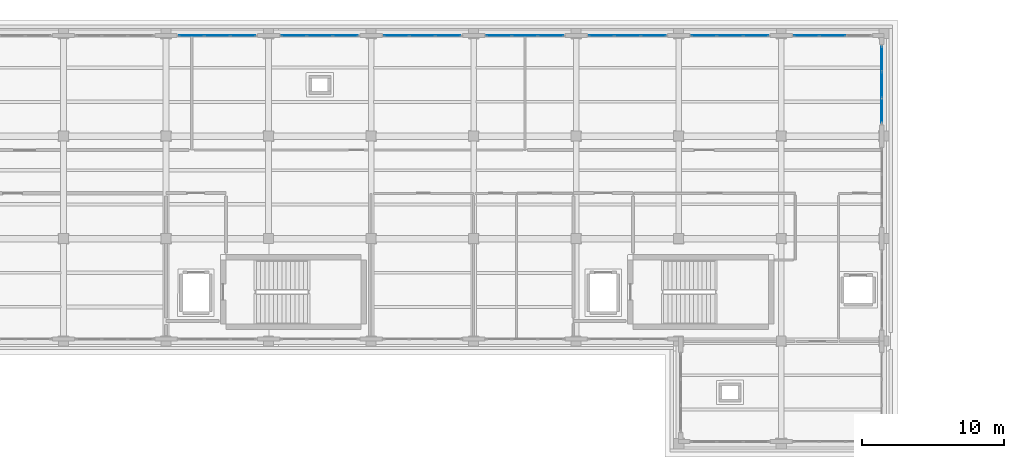
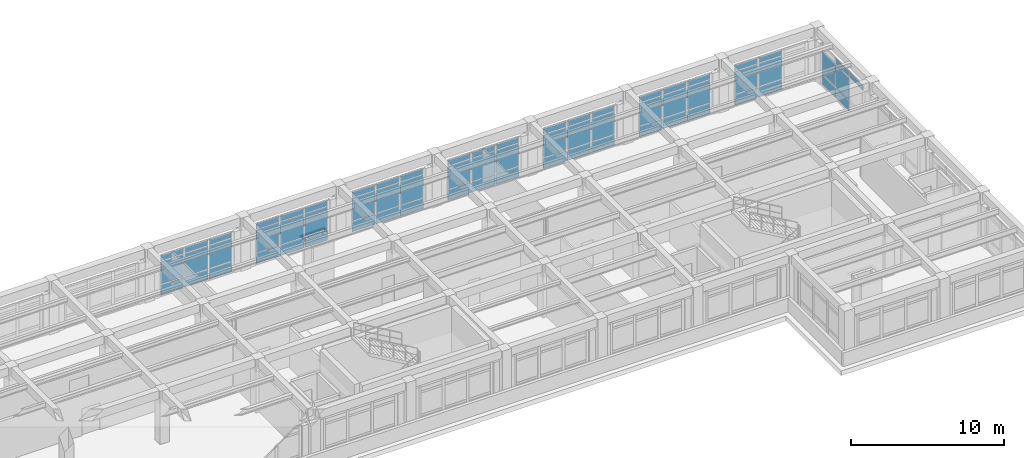
# One storey, part 44 of 64: 66 plates, 8 elements without a shape of their own.
"""IFC4 building model written with IfcOpenShell, lengths in metres."""

from ifc_helpers import new_model, si_unit, direction, frame, origin, origin_2d, place, context, subcontext, project, spatial, rectangle, extrude, material, layer, layer_set, type_object, element, aggregate, save


model = new_model("IFC4")

# Units and contexts
model_context = context("Model", 3, precision=1e-05, world=origin(), true_north=direction((0.0, 1.0)))
body_context = subcontext(model_context, "Body", "Model", "MODEL_VIEW")
ifc_project = project(units=[si_unit("LENGTHUNIT", "METRE"), si_unit("AREAUNIT", "SQUARE_METRE"), si_unit("VOLUMEUNIT", "CUBIC_METRE"), si_unit("PLANEANGLEUNIT", "RADIAN"), si_unit("MASSUNIT", "GRAM", prefix="KILO")], contexts=[model_context])

# Site, building, storey
site_placement = place(None, origin())
site = spatial("IfcSite", under=ifc_project, at=site_placement, CompositionType="ELEMENT")
building_placement = place(site_placement, origin())
building = spatial("IfcBuilding", under=site, at=building_placement, Name="Solenvale Faculty of Natural Sciences", CompositionType="ELEMENT")
storey_placement = place(building_placement, frame((0.0, 0.0, 18.0)))
storey = spatial("IfcBuildingStorey", under=building, at=storey_placement, Name="L04", CompositionType="ELEMENT", Elevation=18.0)

# Curtain wall, plates
ifc_material_1 = material(Name="Anodised bronze aluminium", Category="aluminium")
ifc_layer_1 = layer(ifc_material_1, 0.179931640625)
ifc_layer_set_1 = layer_set([ifc_layer_1], Name="Anodised bronze aluminium")
curtain_wall_type = type_object("IfcCurtainWallType", Name="CW-TWR-MOD", PredefinedType="USERDEFINED", material=ifc_layer_set_1)
curtain_wall_1_placement = place(storey_placement, origin())
curtain_wall_1 = element("IfcCurtainWall", 1, at=curtain_wall_1_placement, inside=storey, type_object=curtain_wall_type, Name="L04 Curtain Wall CW-L04-P3-E4-B7", ObjectType="UNITISED CURTAIN WALL", PredefinedType="USERDEFINED")
ifc_material_2 = material(Name="North-light skylight glass", Category="glass")
ifc_layer_2 = layer(ifc_material_2, 0.028076171875)
ifc_layer_set_2 = layer_set([ifc_layer_2], Name="North-light skylight glass")
plate_type_1 = type_object("IfcPlateType", Name="CWP-PNL-28", PredefinedType="CURTAIN_PANEL", material=ifc_layer_set_2)
plate_1_placement = place(storey_placement, frame((106.214599609375, 115.0576171875, 0.074951171875), z_axis=(0.0, 0.0, 1.0), x_axis=(-1.0, 0.0, 0.0)))
plate_1 = element("IfcPlate", 2, at=plate_1_placement, type_object=plate_type_1, Name="CW-04 panel 1.1", PredefinedType="CURTAIN_PANEL", context=body_context, shape_type="SweptSolid", body=[
    extrude(rectangle(XDim=1.720947265625, YDim=0.028076171875, at=origin_2d()), origin(), (0.0, 0.0, 1.0), 0.78759765625),
])
plate_2_placement = place(storey_placement, frame((106.214599609375, 115.0576171875, 0.9375), z_axis=(0.0, 0.0, 1.0), x_axis=(-1.0, 0.0, 0.0)))
plate_2 = element("IfcPlate", 3, at=plate_2_placement, type_object=plate_type_1, Name="CW-04 panel 1.2", PredefinedType="CURTAIN_PANEL", context=body_context, shape_type="SweptSolid", body=[
    extrude(rectangle(XDim=1.720947265625, YDim=0.028076171875, at=origin_2d()), origin(), (0.0, 0.0, 1.0), 1.784912109375),
])
plate_3_placement = place(storey_placement, frame((106.214599609375, 115.0576171875, 2.79736328125), z_axis=(0.0, 0.0, 1.0), x_axis=(-1.0, 0.0, 0.0)))
plate_3 = element("IfcPlate", 4, at=plate_3_placement, type_object=plate_type_1, Name="CW-04 panel 1.3", PredefinedType="CURTAIN_PANEL", context=body_context, shape_type="SweptSolid", body=[
    extrude(rectangle(XDim=1.720947265625, YDim=0.028076171875, at=origin_2d()), origin(), (0.0, 0.0, 1.0), 0.387451171875),
])
plate_4_placement = place(storey_placement, frame((104.39990234375, 115.0576171875, 0.074951171875), z_axis=(0.0, 0.0, 1.0), x_axis=(-1.0, 0.0, 0.0)))
plate_4 = element("IfcPlate", 5, at=plate_4_placement, type_object=plate_type_1, Name="CW-04 panel 2.1", PredefinedType="CURTAIN_PANEL", context=body_context, shape_type="SweptSolid", body=[
    extrude(rectangle(XDim=1.75830078125, YDim=0.028076171875, at=origin_2d()), origin(), (0.0, 0.0, 1.0), 0.78759765625),
])
plate_5_placement = place(storey_placement, frame((104.39990234375, 115.0576171875, 0.9375), z_axis=(0.0, 0.0, 1.0), x_axis=(-1.0, 0.0, 0.0)))
plate_5 = element("IfcPlate", 6, at=plate_5_placement, type_object=plate_type_1, Name="CW-04 panel 2.2", PredefinedType="CURTAIN_PANEL", context=body_context, shape_type="SweptSolid", body=[
    extrude(rectangle(XDim=1.75830078125, YDim=0.028076171875, at=origin_2d()), origin(), (0.0, 0.0, 1.0), 1.784912109375),
])
plate_6_placement = place(storey_placement, frame((104.39990234375, 115.0576171875, 2.79736328125), z_axis=(0.0, 0.0, 1.0), x_axis=(-1.0, 0.0, 0.0)))
plate_6 = element("IfcPlate", 7, at=plate_6_placement, type_object=plate_type_1, Name="CW-04 panel 2.3", PredefinedType="CURTAIN_PANEL", context=body_context, shape_type="SweptSolid", body=[
    extrude(rectangle(XDim=1.75830078125, YDim=0.028076171875, at=origin_2d()), origin(), (0.0, 0.0, 1.0), 0.387451171875),
])
plate_7_placement = place(storey_placement, frame((102.58544921875, 115.0576171875, 0.074951171875), z_axis=(0.0, 0.0, 1.0), x_axis=(-1.0, 0.0, 0.0)))
plate_7 = element("IfcPlate", 8, at=plate_7_placement, type_object=plate_type_1, Name="CW-04 panel 3.1", PredefinedType="CURTAIN_PANEL", context=body_context, shape_type="SweptSolid", body=[
    extrude(rectangle(XDim=1.720947265625, YDim=0.028076171875, at=origin_2d()), origin(), (0.0, 0.0, 1.0), 0.78759765625),
])
plate_8_placement = place(storey_placement, frame((102.58544921875, 115.0576171875, 0.9375), z_axis=(0.0, 0.0, 1.0), x_axis=(-1.0, 0.0, 0.0)))
plate_8 = element("IfcPlate", 9, at=plate_8_placement, type_object=plate_type_1, Name="CW-04 panel 3.2", PredefinedType="CURTAIN_PANEL", context=body_context, shape_type="SweptSolid", body=[
    extrude(rectangle(XDim=1.720947265625, YDim=0.028076171875, at=origin_2d()), origin(), (0.0, 0.0, 1.0), 1.784912109375),
])
plate_9_placement = place(storey_placement, frame((102.58544921875, 115.0576171875, 2.79736328125), z_axis=(0.0, 0.0, 1.0), x_axis=(-1.0, 0.0, 0.0)))
plate_9 = element("IfcPlate", 10, at=plate_9_placement, type_object=plate_type_1, Name="CW-04 panel 3.3", PredefinedType="CURTAIN_PANEL", context=body_context, shape_type="SweptSolid", body=[
    extrude(rectangle(XDim=1.720947265625, YDim=0.028076171875, at=origin_2d()), origin(), (0.0, 0.0, 1.0), 0.387451171875),
])
aggregate(curtain_wall_1, [plate_1, plate_2, plate_3, plate_4, plate_5, plate_6, plate_7, plate_8, plate_9])

curtain_wall_2_placement = place(storey_placement, origin())
curtain_wall_2 = element("IfcCurtainWall", 11, at=curtain_wall_2_placement, inside=storey, type_object=curtain_wall_type, Name="L04 Curtain Wall CW-L04-P3-E4-B1", ObjectType="UNITISED CURTAIN WALL", PredefinedType="USERDEFINED")
ifc_material_3 = material(Name="Triple low-E insulated glass", Category="glass")
ifc_layer_3 = layer(ifc_material_3, 0.035888671875)
ifc_layer_set_3 = layer_set([ifc_layer_3], Name="Triple low-E insulated glass")
plate_type_2 = type_object("IfcPlateType", Name="CWP-PNL-36", PredefinedType="CURTAIN_PANEL", material=ifc_layer_set_3)
plate_10_placement = place(storey_placement, frame((147.60009765625, 115.0576171875, 0.074951171875), z_axis=(0.0, 0.0, 1.0), x_axis=(-1.0, 0.0, 0.0)))
plate_10 = element("IfcPlate", 12, at=plate_10_placement, type_object=plate_type_2, Name="CW-04 panel 2.1", PredefinedType="CURTAIN_PANEL", context=body_context, shape_type="SweptSolid", body=[
    extrude(rectangle(XDim=1.75830078125, YDim=0.035888671875, at=origin_2d()), origin(), (0.0, 0.0, 1.0), 0.78759765625),
])
plate_11_placement = place(storey_placement, frame((147.60009765625, 115.0576171875, 0.9375), z_axis=(0.0, 0.0, 1.0), x_axis=(-1.0, 0.0, 0.0)))
plate_11 = element("IfcPlate", 13, at=plate_11_placement, type_object=plate_type_2, Name="CW-04 panel 2.2", PredefinedType="CURTAIN_PANEL", context=body_context, shape_type="SweptSolid", body=[
    extrude(rectangle(XDim=1.75830078125, YDim=0.035888671875, at=origin_2d()), origin(), (0.0, 0.0, 1.0), 1.784912109375),
])
plate_12_placement = place(storey_placement, frame((147.60009765625, 115.0576171875, 2.79736328125), z_axis=(0.0, 0.0, 1.0), x_axis=(-1.0, 0.0, 0.0)))
plate_12 = element("IfcPlate", 14, at=plate_12_placement, type_object=plate_type_2, Name="CW-04 panel 2.3", PredefinedType="CURTAIN_PANEL", context=body_context, shape_type="SweptSolid", body=[
    extrude(rectangle(XDim=1.75830078125, YDim=0.035888671875, at=origin_2d()), origin(), (0.0, 0.0, 1.0), 0.387451171875),
])
plate_13_placement = place(storey_placement, frame((145.785400390625, 115.0576171875, 0.074951171875), z_axis=(0.0, 0.0, 1.0), x_axis=(-1.0, 0.0, 0.0)))
plate_13 = element("IfcPlate", 15, at=plate_13_placement, type_object=plate_type_2, Name="CW-04 panel 3.1", PredefinedType="CURTAIN_PANEL", context=body_context, shape_type="SweptSolid", body=[
    extrude(rectangle(XDim=1.720947265625, YDim=0.035888671875, at=origin_2d()), origin(), (0.0, 0.0, 1.0), 0.78759765625),
])
plate_14_placement = place(storey_placement, frame((145.785400390625, 115.0576171875, 0.9375), z_axis=(0.0, 0.0, 1.0), x_axis=(-1.0, 0.0, 0.0)))
plate_14 = element("IfcPlate", 16, at=plate_14_placement, type_object=plate_type_2, Name="CW-04 panel 3.2", PredefinedType="CURTAIN_PANEL", context=body_context, shape_type="SweptSolid", body=[
    extrude(rectangle(XDim=1.720947265625, YDim=0.035888671875, at=origin_2d()), origin(), (0.0, 0.0, 1.0), 1.784912109375),
])
plate_15_placement = place(storey_placement, frame((145.785400390625, 115.0576171875, 2.79736328125), z_axis=(0.0, 0.0, 1.0), x_axis=(-1.0, 0.0, 0.0)))
plate_15 = element("IfcPlate", 17, at=plate_15_placement, type_object=plate_type_2, Name="CW-04 panel 3.3", PredefinedType="CURTAIN_PANEL", context=body_context, shape_type="SweptSolid", body=[
    extrude(rectangle(XDim=1.720947265625, YDim=0.035888671875, at=origin_2d()), origin(), (0.0, 0.0, 1.0), 0.387451171875),
])
aggregate(curtain_wall_2, [plate_10, plate_11, plate_12, plate_13, plate_14, plate_15])

curtain_wall_3_placement = place(storey_placement, origin())
curtain_wall_3 = element("IfcCurtainWall", 18, at=curtain_wall_3_placement, inside=storey, type_object=curtain_wall_type, Name="L04 Curtain Wall CW-L04-P3-E3-B3", ObjectType="UNITISED CURTAIN WALL", PredefinedType="USERDEFINED")
ifc_layer_4 = layer(ifc_material_3, 0.0400390625)
ifc_layer_set_4 = layer_set([ifc_layer_4], Name="Triple low-E insulated glass")
plate_type_3 = type_object("IfcPlateType", Name="CWP-PNL-40", PredefinedType="CURTAIN_PANEL", material=ifc_layer_set_4)
plate_16_placement = place(storey_placement, frame((151.0576171875, 109.785400390625, 2.79736328125), z_axis=(0.0, 0.0, 1.0), x_axis=(0.0, 1.0, 0.0)))
plate_16 = element("IfcPlate", 19, at=plate_16_placement, type_object=plate_type_3, Name="CW-04 panel 1.3", PredefinedType="CURTAIN_PANEL", context=body_context, shape_type="SweptSolid", body=[
    extrude(rectangle(XDim=1.720947265625, YDim=0.0400390625, at=origin_2d()), origin(), (0.0, 0.0, 1.0), 0.387451171875),
])
plate_17_placement = place(storey_placement, frame((151.0576171875, 111.60009765625, 0.074951171875), z_axis=(0.0, 0.0, 1.0), x_axis=(0.0, 1.0, 0.0)))
plate_17 = element("IfcPlate", 20, at=plate_17_placement, type_object=plate_type_3, Name="CW-04 panel 2.1", PredefinedType="CURTAIN_PANEL", context=body_context, shape_type="SweptSolid", body=[
    extrude(rectangle(XDim=1.75830078125, YDim=0.0400390625, at=origin_2d()), origin(), (0.0, 0.0, 1.0), 0.78759765625),
])
plate_18_placement = place(storey_placement, frame((151.0576171875, 111.60009765625, 0.9375), z_axis=(0.0, 0.0, 1.0), x_axis=(0.0, 1.0, 0.0)))
plate_18 = element("IfcPlate", 21, at=plate_18_placement, type_object=plate_type_3, Name="CW-04 panel 2.2", PredefinedType="CURTAIN_PANEL", context=body_context, shape_type="SweptSolid", body=[
    extrude(rectangle(XDim=1.75830078125, YDim=0.0400390625, at=origin_2d()), origin(), (0.0, 0.0, 1.0), 1.784912109375),
])
plate_19_placement = place(storey_placement, frame((151.0576171875, 111.60009765625, 2.79736328125), z_axis=(0.0, 0.0, 1.0), x_axis=(0.0, 1.0, 0.0)))
plate_19 = element("IfcPlate", 22, at=plate_19_placement, type_object=plate_type_3, Name="CW-04 panel 2.3", PredefinedType="CURTAIN_PANEL", context=body_context, shape_type="SweptSolid", body=[
    extrude(rectangle(XDim=1.75830078125, YDim=0.0400390625, at=origin_2d()), origin(), (0.0, 0.0, 1.0), 0.387451171875),
])
plate_20_placement = place(storey_placement, frame((151.0576171875, 113.41455078125, 0.074951171875), z_axis=(0.0, 0.0, 1.0), x_axis=(0.0, 1.0, 0.0)))
plate_20 = element("IfcPlate", 23, at=plate_20_placement, type_object=plate_type_3, Name="CW-04 panel 3.1", PredefinedType="CURTAIN_PANEL", context=body_context, shape_type="SweptSolid", body=[
    extrude(rectangle(XDim=1.720947265625, YDim=0.0400390625, at=origin_2d()), origin(), (0.0, 0.0, 1.0), 0.78759765625),
])
plate_21_placement = place(storey_placement, frame((151.0576171875, 113.41455078125, 0.9375), z_axis=(0.0, 0.0, 1.0), x_axis=(0.0, 1.0, 0.0)))
plate_21 = element("IfcPlate", 24, at=plate_21_placement, type_object=plate_type_3, Name="CW-04 panel 3.2", PredefinedType="CURTAIN_PANEL", context=body_context, shape_type="SweptSolid", body=[
    extrude(rectangle(XDim=1.720947265625, YDim=0.0400390625, at=origin_2d()), origin(), (0.0, 0.0, 1.0), 1.784912109375),
])
aggregate(curtain_wall_3, [plate_16, plate_17, plate_18, plate_19, plate_20, plate_21])

curtain_wall_4_placement = place(storey_placement, origin())
curtain_wall_4 = element("IfcCurtainWall", 25, at=curtain_wall_4_placement, inside=storey, type_object=curtain_wall_type, Name="L04 Curtain Wall CW-L04-P3-E4-B2", ObjectType="UNITISED CURTAIN WALL", PredefinedType="USERDEFINED")
plate_22_placement = place(storey_placement, frame((142.214599609375, 115.0576171875, 0.074951171875), z_axis=(0.0, 0.0, 1.0), x_axis=(-1.0, 0.0, 0.0)))
plate_22 = element("IfcPlate", 26, at=plate_22_placement, type_object=plate_type_3, Name="CW-04 panel 1.1", PredefinedType="CURTAIN_PANEL", context=body_context, shape_type="SweptSolid", body=[
    extrude(rectangle(XDim=1.720947265625, YDim=0.0400390625, at=origin_2d()), origin(), (0.0, 0.0, 1.0), 0.78759765625),
])
plate_23_placement = place(storey_placement, frame((142.214599609375, 115.0576171875, 0.9375), z_axis=(0.0, 0.0, 1.0), x_axis=(-1.0, 0.0, 0.0)))
plate_23 = element("IfcPlate", 27, at=plate_23_placement, type_object=plate_type_3, Name="CW-04 panel 1.2", PredefinedType="CURTAIN_PANEL", context=body_context, shape_type="SweptSolid", body=[
    extrude(rectangle(XDim=1.720947265625, YDim=0.0400390625, at=origin_2d()), origin(), (0.0, 0.0, 1.0), 1.784912109375),
])
plate_24_placement = place(storey_placement, frame((142.214599609375, 115.0576171875, 2.79736328125), z_axis=(0.0, 0.0, 1.0), x_axis=(-1.0, 0.0, 0.0)))
plate_24 = element("IfcPlate", 28, at=plate_24_placement, type_object=plate_type_3, Name="CW-04 panel 1.3", PredefinedType="CURTAIN_PANEL", context=body_context, shape_type="SweptSolid", body=[
    extrude(rectangle(XDim=1.720947265625, YDim=0.0400390625, at=origin_2d()), origin(), (0.0, 0.0, 1.0), 0.387451171875),
])
plate_25_placement = place(storey_placement, frame((140.39990234375, 115.0576171875, 0.074951171875), z_axis=(0.0, 0.0, 1.0), x_axis=(-1.0, 0.0, 0.0)))
plate_25 = element("IfcPlate", 29, at=plate_25_placement, type_object=plate_type_3, Name="CW-04 panel 2.1", PredefinedType="CURTAIN_PANEL", context=body_context, shape_type="SweptSolid", body=[
    extrude(rectangle(XDim=1.75830078125, YDim=0.0400390625, at=origin_2d()), origin(), (0.0, 0.0, 1.0), 0.78759765625),
])
plate_26_placement = place(storey_placement, frame((140.39990234375, 115.0576171875, 0.9375), z_axis=(0.0, 0.0, 1.0), x_axis=(-1.0, 0.0, 0.0)))
plate_26 = element("IfcPlate", 30, at=plate_26_placement, type_object=plate_type_3, Name="CW-04 panel 2.2", PredefinedType="CURTAIN_PANEL", context=body_context, shape_type="SweptSolid", body=[
    extrude(rectangle(XDim=1.75830078125, YDim=0.0400390625, at=origin_2d()), origin(), (0.0, 0.0, 1.0), 1.784912109375),
])
plate_27_placement = place(storey_placement, frame((140.39990234375, 115.0576171875, 2.79736328125), z_axis=(0.0, 0.0, 1.0), x_axis=(-1.0, 0.0, 0.0)))
plate_27 = element("IfcPlate", 31, at=plate_27_placement, type_object=plate_type_3, Name="CW-04 panel 2.3", PredefinedType="CURTAIN_PANEL", context=body_context, shape_type="SweptSolid", body=[
    extrude(rectangle(XDim=1.75830078125, YDim=0.0400390625, at=origin_2d()), origin(), (0.0, 0.0, 1.0), 0.387451171875),
])
plate_28_placement = place(storey_placement, frame((138.58544921875, 115.0576171875, 0.074951171875), z_axis=(0.0, 0.0, 1.0), x_axis=(-1.0, 0.0, 0.0)))
plate_28 = element("IfcPlate", 32, at=plate_28_placement, type_object=plate_type_3, Name="CW-04 panel 3.1", PredefinedType="CURTAIN_PANEL", context=body_context, shape_type="SweptSolid", body=[
    extrude(rectangle(XDim=1.720947265625, YDim=0.0400390625, at=origin_2d()), origin(), (0.0, 0.0, 1.0), 0.78759765625),
])
plate_29_placement = place(storey_placement, frame((138.58544921875, 115.0576171875, 0.9375), z_axis=(0.0, 0.0, 1.0), x_axis=(-1.0, 0.0, 0.0)))
plate_29 = element("IfcPlate", 33, at=plate_29_placement, type_object=plate_type_3, Name="CW-04 panel 3.2", PredefinedType="CURTAIN_PANEL", context=body_context, shape_type="SweptSolid", body=[
    extrude(rectangle(XDim=1.720947265625, YDim=0.0400390625, at=origin_2d()), origin(), (0.0, 0.0, 1.0), 1.784912109375),
])
plate_30_placement = place(storey_placement, frame((138.58544921875, 115.0576171875, 2.79736328125), z_axis=(0.0, 0.0, 1.0), x_axis=(-1.0, 0.0, 0.0)))
plate_30 = element("IfcPlate", 34, at=plate_30_placement, type_object=plate_type_3, Name="CW-04 panel 3.3", PredefinedType="CURTAIN_PANEL", context=body_context, shape_type="SweptSolid", body=[
    extrude(rectangle(XDim=1.720947265625, YDim=0.0400390625, at=origin_2d()), origin(), (0.0, 0.0, 1.0), 0.387451171875),
])
aggregate(curtain_wall_4, [plate_22, plate_23, plate_24, plate_25, plate_26, plate_27, plate_28, plate_29, plate_30])

curtain_wall_5_placement = place(storey_placement, origin())
curtain_wall_5 = element("IfcCurtainWall", 35, at=curtain_wall_5_placement, inside=storey, type_object=curtain_wall_type, Name="L04 Curtain Wall CW-L04-P3-E4-B3", ObjectType="UNITISED CURTAIN WALL", PredefinedType="USERDEFINED")
ifc_layer_5 = layer(ifc_material_3, 0.0439453125)
ifc_layer_set_5 = layer_set([ifc_layer_5], Name="Triple low-E insulated glass")
plate_type_4 = type_object("IfcPlateType", Name="CWP-PNL-44", PredefinedType="CURTAIN_PANEL", material=ifc_layer_set_5)
plate_31_placement = place(storey_placement, frame((135.0146484375, 115.0576171875, 0.074951171875), z_axis=(0.0, 0.0, 1.0), x_axis=(-1.0, 0.0, 0.0)))
plate_31 = element("IfcPlate", 36, at=plate_31_placement, type_object=plate_type_4, Name="CW-04 panel 1.1", PredefinedType="CURTAIN_PANEL", context=body_context, shape_type="SweptSolid", body=[
    extrude(rectangle(XDim=1.720947265625, YDim=0.0439453125, at=origin_2d()), origin(), (0.0, 0.0, 1.0), 0.78759765625),
])
plate_32_placement = place(storey_placement, frame((135.0146484375, 115.0576171875, 0.9375), z_axis=(0.0, 0.0, 1.0), x_axis=(-1.0, 0.0, 0.0)))
plate_32 = element("IfcPlate", 37, at=plate_32_placement, type_object=plate_type_4, Name="CW-04 panel 1.2", PredefinedType="CURTAIN_PANEL", context=body_context, shape_type="SweptSolid", body=[
    extrude(rectangle(XDim=1.720947265625, YDim=0.0439453125, at=origin_2d()), origin(), (0.0, 0.0, 1.0), 1.784912109375),
])
plate_33_placement = place(storey_placement, frame((135.0146484375, 115.0576171875, 2.79736328125), z_axis=(0.0, 0.0, 1.0), x_axis=(-1.0, 0.0, 0.0)))
plate_33 = element("IfcPlate", 38, at=plate_33_placement, type_object=plate_type_4, Name="CW-04 panel 1.3", PredefinedType="CURTAIN_PANEL", context=body_context, shape_type="SweptSolid", body=[
    extrude(rectangle(XDim=1.720947265625, YDim=0.0439453125, at=origin_2d()), origin(), (0.0, 0.0, 1.0), 0.387451171875),
])
plate_34_placement = place(storey_placement, frame((133.199951171875, 115.0576171875, 0.074951171875), z_axis=(0.0, 0.0, 1.0), x_axis=(-1.0, 0.0, 0.0)))
plate_34 = element("IfcPlate", 39, at=plate_34_placement, type_object=plate_type_4, Name="CW-04 panel 2.1", PredefinedType="CURTAIN_PANEL", context=body_context, shape_type="SweptSolid", body=[
    extrude(rectangle(XDim=1.75830078125, YDim=0.0439453125, at=origin_2d()), origin(), (0.0, 0.0, 1.0), 0.78759765625),
])
plate_35_placement = place(storey_placement, frame((133.199951171875, 115.0576171875, 0.9375), z_axis=(0.0, 0.0, 1.0), x_axis=(-1.0, 0.0, 0.0)))
plate_35 = element("IfcPlate", 40, at=plate_35_placement, type_object=plate_type_4, Name="CW-04 panel 2.2", PredefinedType="CURTAIN_PANEL", context=body_context, shape_type="SweptSolid", body=[
    extrude(rectangle(XDim=1.75830078125, YDim=0.0439453125, at=origin_2d()), origin(), (0.0, 0.0, 1.0), 1.784912109375),
])
plate_36_placement = place(storey_placement, frame((133.199951171875, 115.0576171875, 2.79736328125), z_axis=(0.0, 0.0, 1.0), x_axis=(-1.0, 0.0, 0.0)))
plate_36 = element("IfcPlate", 41, at=plate_36_placement, type_object=plate_type_4, Name="CW-04 panel 2.3", PredefinedType="CURTAIN_PANEL", context=body_context, shape_type="SweptSolid", body=[
    extrude(rectangle(XDim=1.75830078125, YDim=0.0439453125, at=origin_2d()), origin(), (0.0, 0.0, 1.0), 0.387451171875),
])
plate_37_placement = place(storey_placement, frame((131.385498046875, 115.0576171875, 0.074951171875), z_axis=(0.0, 0.0, 1.0), x_axis=(-1.0, 0.0, 0.0)))
plate_37 = element("IfcPlate", 42, at=plate_37_placement, type_object=plate_type_4, Name="CW-04 panel 3.1", PredefinedType="CURTAIN_PANEL", context=body_context, shape_type="SweptSolid", body=[
    extrude(rectangle(XDim=1.720947265625, YDim=0.0439453125, at=origin_2d()), origin(), (0.0, 0.0, 1.0), 0.78759765625),
])
plate_38_placement = place(storey_placement, frame((131.385498046875, 115.0576171875, 0.9375), z_axis=(0.0, 0.0, 1.0), x_axis=(-1.0, 0.0, 0.0)))
plate_38 = element("IfcPlate", 43, at=plate_38_placement, type_object=plate_type_4, Name="CW-04 panel 3.2", PredefinedType="CURTAIN_PANEL", context=body_context, shape_type="SweptSolid", body=[
    extrude(rectangle(XDim=1.720947265625, YDim=0.0439453125, at=origin_2d()), origin(), (0.0, 0.0, 1.0), 1.784912109375),
])
plate_39_placement = place(storey_placement, frame((131.385498046875, 115.0576171875, 2.79736328125), z_axis=(0.0, 0.0, 1.0), x_axis=(-1.0, 0.0, 0.0)))
plate_39 = element("IfcPlate", 44, at=plate_39_placement, type_object=plate_type_4, Name="CW-04 panel 3.3", PredefinedType="CURTAIN_PANEL", context=body_context, shape_type="SweptSolid", body=[
    extrude(rectangle(XDim=1.720947265625, YDim=0.0439453125, at=origin_2d()), origin(), (0.0, 0.0, 1.0), 0.387451171875),
])
aggregate(curtain_wall_5, [plate_31, plate_32, plate_33, plate_34, plate_35, plate_36, plate_37, plate_38, plate_39])

curtain_wall_6_placement = place(storey_placement, origin())
curtain_wall_6 = element("IfcCurtainWall", 45, at=curtain_wall_6_placement, inside=storey, type_object=curtain_wall_type, Name="L04 Curtain Wall CW-L04-P3-E4-B4", ObjectType="UNITISED CURTAIN WALL", PredefinedType="USERDEFINED")
ifc_layer_6 = layer(ifc_material_1, 0.048095703125)
ifc_layer_set_6 = layer_set([ifc_layer_6], Name="Anodised bronze aluminium")
plate_type_5 = type_object("IfcPlateType", Name="CWP-PNL-48", PredefinedType="CURTAIN_PANEL", material=ifc_layer_set_6)
plate_40_placement = place(storey_placement, frame((127.814697265625, 115.0576171875, 0.074951171875), z_axis=(0.0, 0.0, 1.0), x_axis=(-1.0, 0.0, 0.0)))
plate_40 = element("IfcPlate", 46, at=plate_40_placement, type_object=plate_type_5, Name="CW-04 panel 1.1", PredefinedType="CURTAIN_PANEL", context=body_context, shape_type="SweptSolid", body=[
    extrude(rectangle(XDim=1.720947265625, YDim=0.048095703125, at=origin_2d()), origin(), (0.0, 0.0, 1.0), 0.78759765625),
])
plate_41_placement = place(storey_placement, frame((127.814697265625, 115.0576171875, 0.9375), z_axis=(0.0, 0.0, 1.0), x_axis=(-1.0, 0.0, 0.0)))
plate_41 = element("IfcPlate", 47, at=plate_41_placement, type_object=plate_type_5, Name="CW-04 panel 1.2", PredefinedType="CURTAIN_PANEL", context=body_context, shape_type="SweptSolid", body=[
    extrude(rectangle(XDim=1.720947265625, YDim=0.048095703125, at=origin_2d()), origin(), (0.0, 0.0, 1.0), 1.784912109375),
])
plate_42_placement = place(storey_placement, frame((127.814697265625, 115.0576171875, 2.79736328125), z_axis=(0.0, 0.0, 1.0), x_axis=(-1.0, 0.0, 0.0)))
plate_42 = element("IfcPlate", 48, at=plate_42_placement, type_object=plate_type_5, Name="CW-04 panel 1.3", PredefinedType="CURTAIN_PANEL", context=body_context, shape_type="SweptSolid", body=[
    extrude(rectangle(XDim=1.720947265625, YDim=0.048095703125, at=origin_2d()), origin(), (0.0, 0.0, 1.0), 0.387451171875),
])
plate_43_placement = place(storey_placement, frame((126.0, 115.0576171875, 0.074951171875), z_axis=(0.0, 0.0, 1.0), x_axis=(-1.0, 0.0, 0.0)))
plate_43 = element("IfcPlate", 49, at=plate_43_placement, type_object=plate_type_5, Name="CW-04 panel 2.1", PredefinedType="CURTAIN_PANEL", context=body_context, shape_type="SweptSolid", body=[
    extrude(rectangle(XDim=1.75830078125, YDim=0.048095703125, at=origin_2d()), origin(), (0.0, 0.0, 1.0), 0.78759765625),
])
plate_44_placement = place(storey_placement, frame((126.0, 115.0576171875, 0.9375), z_axis=(0.0, 0.0, 1.0), x_axis=(-1.0, 0.0, 0.0)))
plate_44 = element("IfcPlate", 50, at=plate_44_placement, type_object=plate_type_5, Name="CW-04 panel 2.2", PredefinedType="CURTAIN_PANEL", context=body_context, shape_type="SweptSolid", body=[
    extrude(rectangle(XDim=1.75830078125, YDim=0.048095703125, at=origin_2d()), origin(), (0.0, 0.0, 1.0), 1.784912109375),
])
plate_45_placement = place(storey_placement, frame((126.0, 115.0576171875, 2.79736328125), z_axis=(0.0, 0.0, 1.0), x_axis=(-1.0, 0.0, 0.0)))
plate_45 = element("IfcPlate", 51, at=plate_45_placement, type_object=plate_type_5, Name="CW-04 panel 2.3", PredefinedType="CURTAIN_PANEL", context=body_context, shape_type="SweptSolid", body=[
    extrude(rectangle(XDim=1.75830078125, YDim=0.048095703125, at=origin_2d()), origin(), (0.0, 0.0, 1.0), 0.387451171875),
])
plate_46_placement = place(storey_placement, frame((124.185302734375, 115.0576171875, 0.074951171875), z_axis=(0.0, 0.0, 1.0), x_axis=(-1.0, 0.0, 0.0)))
plate_46 = element("IfcPlate", 52, at=plate_46_placement, type_object=plate_type_5, Name="CW-04 panel 3.1", PredefinedType="CURTAIN_PANEL", context=body_context, shape_type="SweptSolid", body=[
    extrude(rectangle(XDim=1.720947265625, YDim=0.048095703125, at=origin_2d()), origin(), (0.0, 0.0, 1.0), 0.78759765625),
])
plate_47_placement = place(storey_placement, frame((124.185302734375, 115.0576171875, 0.9375), z_axis=(0.0, 0.0, 1.0), x_axis=(-1.0, 0.0, 0.0)))
plate_47 = element("IfcPlate", 53, at=plate_47_placement, type_object=plate_type_5, Name="CW-04 panel 3.2", PredefinedType="CURTAIN_PANEL", context=body_context, shape_type="SweptSolid", body=[
    extrude(rectangle(XDim=1.720947265625, YDim=0.048095703125, at=origin_2d()), origin(), (0.0, 0.0, 1.0), 1.784912109375),
])
plate_48_placement = place(storey_placement, frame((124.185302734375, 115.0576171875, 2.79736328125), z_axis=(0.0, 0.0, 1.0), x_axis=(-1.0, 0.0, 0.0)))
plate_48 = element("IfcPlate", 54, at=plate_48_placement, type_object=plate_type_5, Name="CW-04 panel 3.3", PredefinedType="CURTAIN_PANEL", context=body_context, shape_type="SweptSolid", body=[
    extrude(rectangle(XDim=1.720947265625, YDim=0.048095703125, at=origin_2d()), origin(), (0.0, 0.0, 1.0), 0.387451171875),
])
aggregate(curtain_wall_6, [plate_40, plate_41, plate_42, plate_43, plate_44, plate_45, plate_46, plate_47, plate_48])

curtain_wall_7_placement = place(storey_placement, origin())
curtain_wall_7 = element("IfcCurtainWall", 55, at=curtain_wall_7_placement, inside=storey, type_object=curtain_wall_type, Name="L04 Curtain Wall CW-L04-P3-E4-B5", ObjectType="UNITISED CURTAIN WALL", PredefinedType="USERDEFINED")
ifc_layer_7 = layer(ifc_material_1, 0.053955078125)
ifc_layer_set_7 = layer_set([ifc_layer_7], Name="Anodised bronze aluminium")
plate_type_6 = type_object("IfcPlateType", Name="CWP-PNL-54", PredefinedType="CURTAIN_PANEL", material=ifc_layer_set_7)
plate_49_placement = place(storey_placement, frame((120.614501953125, 115.0576171875, 0.074951171875), z_axis=(0.0, 0.0, 1.0), x_axis=(-1.0, 0.0, 0.0)))
plate_49 = element("IfcPlate", 56, at=plate_49_placement, type_object=plate_type_6, Name="CW-04 panel 1.1", PredefinedType="CURTAIN_PANEL", context=body_context, shape_type="SweptSolid", body=[
    extrude(rectangle(XDim=1.720947265625, YDim=0.053955078125, at=origin_2d()), origin(), (0.0, 0.0, 1.0), 0.78759765625),
])
plate_50_placement = place(storey_placement, frame((120.614501953125, 115.0576171875, 0.9375), z_axis=(0.0, 0.0, 1.0), x_axis=(-1.0, 0.0, 0.0)))
plate_50 = element("IfcPlate", 57, at=plate_50_placement, type_object=plate_type_6, Name="CW-04 panel 1.2", PredefinedType="CURTAIN_PANEL", context=body_context, shape_type="SweptSolid", body=[
    extrude(rectangle(XDim=1.720947265625, YDim=0.053955078125, at=origin_2d()), origin(), (0.0, 0.0, 1.0), 1.784912109375),
])
plate_51_placement = place(storey_placement, frame((120.614501953125, 115.0576171875, 2.79736328125), z_axis=(0.0, 0.0, 1.0), x_axis=(-1.0, 0.0, 0.0)))
plate_51 = element("IfcPlate", 58, at=plate_51_placement, type_object=plate_type_6, Name="CW-04 panel 1.3", PredefinedType="CURTAIN_PANEL", context=body_context, shape_type="SweptSolid", body=[
    extrude(rectangle(XDim=1.720947265625, YDim=0.053955078125, at=origin_2d()), origin(), (0.0, 0.0, 1.0), 0.387451171875),
])
plate_52_placement = place(storey_placement, frame((118.800048828125, 115.0576171875, 0.074951171875), z_axis=(0.0, 0.0, 1.0), x_axis=(-1.0, 0.0, 0.0)))
plate_52 = element("IfcPlate", 59, at=plate_52_placement, type_object=plate_type_6, Name="CW-04 panel 2.1", PredefinedType="CURTAIN_PANEL", context=body_context, shape_type="SweptSolid", body=[
    extrude(rectangle(XDim=1.75830078125, YDim=0.053955078125, at=origin_2d()), origin(), (0.0, 0.0, 1.0), 0.78759765625),
])
plate_53_placement = place(storey_placement, frame((118.800048828125, 115.0576171875, 0.9375), z_axis=(0.0, 0.0, 1.0), x_axis=(-1.0, 0.0, 0.0)))
plate_53 = element("IfcPlate", 60, at=plate_53_placement, type_object=plate_type_6, Name="CW-04 panel 2.2", PredefinedType="CURTAIN_PANEL", context=body_context, shape_type="SweptSolid", body=[
    extrude(rectangle(XDim=1.75830078125, YDim=0.053955078125, at=origin_2d()), origin(), (0.0, 0.0, 1.0), 1.784912109375),
])
plate_54_placement = place(storey_placement, frame((118.800048828125, 115.0576171875, 2.79736328125), z_axis=(0.0, 0.0, 1.0), x_axis=(-1.0, 0.0, 0.0)))
plate_54 = element("IfcPlate", 61, at=plate_54_placement, type_object=plate_type_6, Name="CW-04 panel 2.3", PredefinedType="CURTAIN_PANEL", context=body_context, shape_type="SweptSolid", body=[
    extrude(rectangle(XDim=1.75830078125, YDim=0.053955078125, at=origin_2d()), origin(), (0.0, 0.0, 1.0), 0.387451171875),
])
plate_55_placement = place(storey_placement, frame((116.9853515625, 115.0576171875, 0.074951171875), z_axis=(0.0, 0.0, 1.0), x_axis=(-1.0, 0.0, 0.0)))
plate_55 = element("IfcPlate", 62, at=plate_55_placement, type_object=plate_type_6, Name="CW-04 panel 3.1", PredefinedType="CURTAIN_PANEL", context=body_context, shape_type="SweptSolid", body=[
    extrude(rectangle(XDim=1.720947265625, YDim=0.053955078125, at=origin_2d()), origin(), (0.0, 0.0, 1.0), 0.78759765625),
])
plate_56_placement = place(storey_placement, frame((116.9853515625, 115.0576171875, 0.9375), z_axis=(0.0, 0.0, 1.0), x_axis=(-1.0, 0.0, 0.0)))
plate_56 = element("IfcPlate", 63, at=plate_56_placement, type_object=plate_type_6, Name="CW-04 panel 3.2", PredefinedType="CURTAIN_PANEL", context=body_context, shape_type="SweptSolid", body=[
    extrude(rectangle(XDim=1.720947265625, YDim=0.053955078125, at=origin_2d()), origin(), (0.0, 0.0, 1.0), 1.784912109375),
])
plate_57_placement = place(storey_placement, frame((116.9853515625, 115.0576171875, 2.79736328125), z_axis=(0.0, 0.0, 1.0), x_axis=(-1.0, 0.0, 0.0)))
plate_57 = element("IfcPlate", 64, at=plate_57_placement, type_object=plate_type_6, Name="CW-04 panel 3.3", PredefinedType="CURTAIN_PANEL", context=body_context, shape_type="SweptSolid", body=[
    extrude(rectangle(XDim=1.720947265625, YDim=0.053955078125, at=origin_2d()), origin(), (0.0, 0.0, 1.0), 0.387451171875),
])
aggregate(curtain_wall_7, [plate_49, plate_50, plate_51, plate_52, plate_53, plate_54, plate_55, plate_56, plate_57])

curtain_wall_8_placement = place(storey_placement, origin())
curtain_wall_8 = element("IfcCurtainWall", 65, at=curtain_wall_8_placement, inside=storey, type_object=curtain_wall_type, Name="L04 Curtain Wall CW-L04-P3-E4-B6", ObjectType="UNITISED CURTAIN WALL", PredefinedType="USERDEFINED")
ifc_layer_8 = layer(ifc_material_1, 0.06005859375)
ifc_layer_set_8 = layer_set([ifc_layer_8], Name="Anodised bronze aluminium")
plate_type_7 = type_object("IfcPlateType", Name="CWP-PNL-60", PredefinedType="CURTAIN_PANEL", material=ifc_layer_set_8)
plate_58_placement = place(storey_placement, frame((113.41455078125, 115.0576171875, 0.074951171875), z_axis=(0.0, 0.0, 1.0), x_axis=(-1.0, 0.0, 0.0)))
plate_58 = element("IfcPlate", 66, at=plate_58_placement, type_object=plate_type_7, Name="CW-04 panel 1.1", PredefinedType="CURTAIN_PANEL", context=body_context, shape_type="SweptSolid", body=[
    extrude(rectangle(XDim=1.720947265625, YDim=0.06005859375, at=origin_2d()), origin(), (0.0, 0.0, 1.0), 0.78759765625),
])
plate_59_placement = place(storey_placement, frame((113.41455078125, 115.0576171875, 0.9375), z_axis=(0.0, 0.0, 1.0), x_axis=(-1.0, 0.0, 0.0)))
plate_59 = element("IfcPlate", 67, at=plate_59_placement, type_object=plate_type_7, Name="CW-04 panel 1.2", PredefinedType="CURTAIN_PANEL", context=body_context, shape_type="SweptSolid", body=[
    extrude(rectangle(XDim=1.720947265625, YDim=0.06005859375, at=origin_2d()), origin(), (0.0, 0.0, 1.0), 1.784912109375),
])
plate_60_placement = place(storey_placement, frame((113.41455078125, 115.0576171875, 2.79736328125), z_axis=(0.0, 0.0, 1.0), x_axis=(-1.0, 0.0, 0.0)))
plate_60 = element("IfcPlate", 68, at=plate_60_placement, type_object=plate_type_7, Name="CW-04 panel 1.3", PredefinedType="CURTAIN_PANEL", context=body_context, shape_type="SweptSolid", body=[
    extrude(rectangle(XDim=1.720947265625, YDim=0.06005859375, at=origin_2d()), origin(), (0.0, 0.0, 1.0), 0.387451171875),
])
plate_61_placement = place(storey_placement, frame((111.60009765625, 115.0576171875, 0.074951171875), z_axis=(0.0, 0.0, 1.0), x_axis=(-1.0, 0.0, 0.0)))
plate_61 = element("IfcPlate", 69, at=plate_61_placement, type_object=plate_type_7, Name="CW-04 panel 2.1", PredefinedType="CURTAIN_PANEL", context=body_context, shape_type="SweptSolid", body=[
    extrude(rectangle(XDim=1.75830078125, YDim=0.06005859375, at=origin_2d()), origin(), (0.0, 0.0, 1.0), 0.78759765625),
])
plate_62_placement = place(storey_placement, frame((111.60009765625, 115.0576171875, 0.9375), z_axis=(0.0, 0.0, 1.0), x_axis=(-1.0, 0.0, 0.0)))
plate_62 = element("IfcPlate", 70, at=plate_62_placement, type_object=plate_type_7, Name="CW-04 panel 2.2", PredefinedType="CURTAIN_PANEL", context=body_context, shape_type="SweptSolid", body=[
    extrude(rectangle(XDim=1.75830078125, YDim=0.06005859375, at=origin_2d()), origin(), (0.0, 0.0, 1.0), 1.784912109375),
])
plate_63_placement = place(storey_placement, frame((111.60009765625, 115.0576171875, 2.79736328125), z_axis=(0.0, 0.0, 1.0), x_axis=(-1.0, 0.0, 0.0)))
plate_63 = element("IfcPlate", 71, at=plate_63_placement, type_object=plate_type_7, Name="CW-04 panel 2.3", PredefinedType="CURTAIN_PANEL", context=body_context, shape_type="SweptSolid", body=[
    extrude(rectangle(XDim=1.75830078125, YDim=0.06005859375, at=origin_2d()), origin(), (0.0, 0.0, 1.0), 0.387451171875),
])
plate_64_placement = place(storey_placement, frame((109.785400390625, 115.0576171875, 0.074951171875), z_axis=(0.0, 0.0, 1.0), x_axis=(-1.0, 0.0, 0.0)))
plate_64 = element("IfcPlate", 72, at=plate_64_placement, type_object=plate_type_7, Name="CW-04 panel 3.1", PredefinedType="CURTAIN_PANEL", context=body_context, shape_type="SweptSolid", body=[
    extrude(rectangle(XDim=1.720947265625, YDim=0.06005859375, at=origin_2d()), origin(), (0.0, 0.0, 1.0), 0.78759765625),
])
plate_65_placement = place(storey_placement, frame((109.785400390625, 115.0576171875, 0.9375), z_axis=(0.0, 0.0, 1.0), x_axis=(-1.0, 0.0, 0.0)))
plate_65 = element("IfcPlate", 73, at=plate_65_placement, type_object=plate_type_7, Name="CW-04 panel 3.2", PredefinedType="CURTAIN_PANEL", context=body_context, shape_type="SweptSolid", body=[
    extrude(rectangle(XDim=1.720947265625, YDim=0.06005859375, at=origin_2d()), origin(), (0.0, 0.0, 1.0), 1.784912109375),
])
plate_66_placement = place(storey_placement, frame((109.785400390625, 115.0576171875, 2.79736328125), z_axis=(0.0, 0.0, 1.0), x_axis=(-1.0, 0.0, 0.0)))
plate_66 = element("IfcPlate", 74, at=plate_66_placement, type_object=plate_type_7, Name="CW-04 panel 3.3", PredefinedType="CURTAIN_PANEL", context=body_context, shape_type="SweptSolid", body=[
    extrude(rectangle(XDim=1.720947265625, YDim=0.06005859375, at=origin_2d()), origin(), (0.0, 0.0, 1.0), 0.387451171875),
])
aggregate(curtain_wall_8, [plate_58, plate_59, plate_60, plate_61, plate_62, plate_63, plate_64, plate_65, plate_66])

save(model, "model.ifc")
